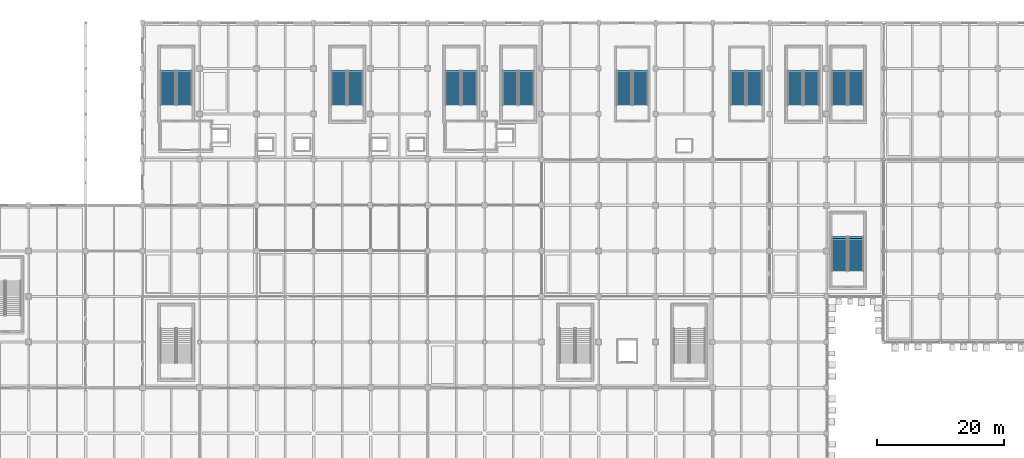
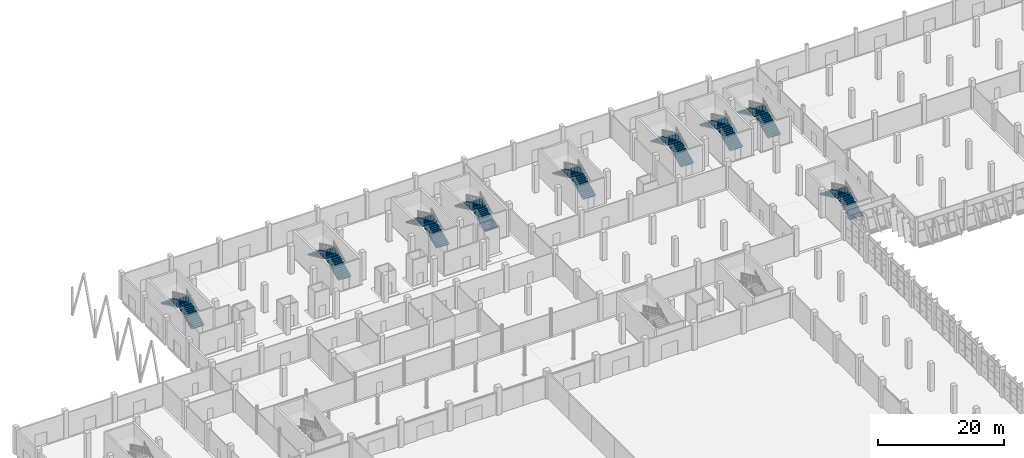
# One storey, part 102 of 137: 18 stair flights, 9 elements without a shape of their own.
"""IFC4 building model written with IfcOpenShell, lengths in metres."""

from ifc_helpers import new_model, si_unit, direction, frame, origin, place, context, subcontext, project, spatial, polyline, outline, extrude, material, type_object, element, aggregate, save


model = new_model("IFC4")

# Units and contexts
model_context = context("Model", 3, precision=1e-05, world=origin(), true_north=direction((0.0, 1.0)))
body_context = subcontext(model_context, "Body", "Model", "MODEL_VIEW")
ifc_project = project(units=[si_unit("LENGTHUNIT", "METRE"), si_unit("AREAUNIT", "SQUARE_METRE"), si_unit("VOLUMEUNIT", "CUBIC_METRE"), si_unit("PLANEANGLEUNIT", "RADIAN"), si_unit("MASSUNIT", "GRAM", prefix="KILO")], contexts=[model_context])

# Site, building, storey
site_placement = place(None, origin())
site = spatial("IfcSite", under=ifc_project, at=site_placement, CompositionType="ELEMENT")
building_placement = place(site_placement, origin())
building = spatial("IfcBuilding", under=site, at=building_placement, Name="Celestram Park Convention Centre", CompositionType="ELEMENT")
storey_placement = place(building_placement, origin())
storey = spatial("IfcBuildingStorey", under=building, at=storey_placement, Name="L00", CompositionType="ELEMENT", Elevation=0.0)

# Stair, stair flights
ifc_material = material(Name="Precast Concrete C40/50", Category="concrete")
stair_type = type_object("IfcStairType", Name="ARC-STR-DOG54", PredefinedType="HALF_TURN_STAIR", material=ifc_material)
stair_1_placement = place(storey_placement, origin())
stair_1 = element("IfcStair", 1, at=stair_1_placement, inside=storey, type_object=stair_type, Name="L00 Core C1 stair ST-01", PredefinedType="HALF_TURN_STAIR")
stair_flight_type = type_object("IfcStairFlightType", Name="ARC-FLT-18R", PredefinedType="STRAIGHT", material=ifc_material)
stair_flight_1_placement = place(storey_placement, frame((42.60009765625, 152.60009765625, 0.0), z_axis=(0.0, 0.0, 1.0), x_axis=(0.0, 1.0, 0.0)))
stair_flight_1 = element("IfcStairFlight", 2, at=stair_flight_1_placement, type_object=stair_flight_type, Name="ST-01 flight 1", NumberOfRisers=18, NumberOfTreads=17, PredefinedType="STRAIGHT", RiserHeight=0.15, TreadLength=0.32, context=body_context, shape_type="SweptSolid", body=[
    extrude(outline(polyline([(0.0, 0.0), (0.0, 0.14990234375), (0.320068359375, 0.14990234375), (0.320068359375, 0.300048828125), (0.639892578125, 0.300048828125), (0.639892578125, 0.449951171875), (0.9599609375, 0.449951171875), (0.9599609375, 0.60009765625), (1.280029296875, 0.60009765625), (1.280029296875, 0.75), (1.60009765625, 0.75), (1.60009765625, 0.89990234375), (1.919921875, 0.89990234375), (1.919921875, 1.050048828125), (2.239990234375, 1.050048828125), (2.239990234375, 1.199951171875), (2.56005859375, 1.199951171875), (2.56005859375, 1.35009765625), (2.8798828125, 1.35009765625), (2.8798828125, 1.5), (3.199951171875, 1.5), (3.199951171875, 1.64990234375), (3.52001953125, 1.64990234375), (3.52001953125, 1.800048828125), (3.840087890625, 1.800048828125), (3.840087890625, 1.949951171875), (4.159912109375, 1.949951171875), (4.159912109375, 2.10009765625), (4.47998046875, 2.10009765625), (4.47998046875, 2.25), (4.800048828125, 2.25), (4.800048828125, 2.39990234375), (5.1201171875, 2.39990234375), (5.1201171875, 2.550048828125), (5.43994140625, 2.550048828125), (5.43994140625, 2.699951171875), (5.43994140625, 2.384521484375), (0.353271484375, 0.0), (0.0, 0.0)])), frame((0.0, 1.199951171875, 0.0), z_axis=(0.0, -1.0, 0.0), x_axis=(1.0, 0.0, 0.0)), (0.0, 0.0, 1.0), 2.39990234375),
])
stair_flight_2_placement = place(storey_placement, frame((40.0400390625, 158.0400390625, 2.699951171875), z_axis=(0.0, 0.0, 1.0), x_axis=(0.0, -1.0, 0.0)))
stair_flight_2 = element("IfcStairFlight", 3, at=stair_flight_2_placement, type_object=stair_flight_type, Name="ST-01 flight 2", NumberOfRisers=18, NumberOfTreads=17, PredefinedType="STRAIGHT", RiserHeight=0.15, TreadLength=0.32, context=body_context, shape_type="SweptSolid", body=[
    extrude(outline(polyline([(0.0, 0.0), (0.0, 0.14990234375), (0.320068359375, 0.14990234375), (0.320068359375, 0.300048828125), (0.639892578125, 0.300048828125), (0.639892578125, 0.449951171875), (0.9599609375, 0.449951171875), (0.9599609375, 0.60009765625), (1.280029296875, 0.60009765625), (1.280029296875, 0.75), (1.60009765625, 0.75), (1.60009765625, 0.89990234375), (1.919921875, 0.89990234375), (1.919921875, 1.050048828125), (2.239990234375, 1.050048828125), (2.239990234375, 1.199951171875), (2.56005859375, 1.199951171875), (2.56005859375, 1.35009765625), (2.8798828125, 1.35009765625), (2.8798828125, 1.5), (3.199951171875, 1.5), (3.199951171875, 1.64990234375), (3.52001953125, 1.64990234375), (3.52001953125, 1.800048828125), (3.840087890625, 1.800048828125), (3.840087890625, 1.949951171875), (4.159912109375, 1.949951171875), (4.159912109375, 2.10009765625), (4.47998046875, 2.10009765625), (4.47998046875, 2.25), (4.800048828125, 2.25), (4.800048828125, 2.39990234375), (5.1201171875, 2.39990234375), (5.1201171875, 2.550048828125), (5.43994140625, 2.550048828125), (5.43994140625, 2.699951171875), (5.43994140625, 2.384521484375), (0.353271484375, 0.0), (0.0, 0.0)])), frame((0.0, 1.199951171875, 0.0), z_axis=(0.0, -1.0, 0.0), x_axis=(1.0, 0.0, 0.0)), (0.0, 0.0, 1.0), 2.39990234375),
])
aggregate(stair_1, [stair_flight_1, stair_flight_2])

stair_2_placement = place(storey_placement, origin())
stair_2 = element("IfcStair", 4, at=stair_2_placement, inside=storey, type_object=stair_type, Name="L00 Core C2 stair ST-02", PredefinedType="HALF_TURN_STAIR")
stair_flight_3_placement = place(storey_placement, frame((87.60009765625, 152.60009765625, 0.0), z_axis=(0.0, 0.0, 1.0), x_axis=(0.0, 1.0, 0.0)))
stair_flight_3 = element("IfcStairFlight", 5, at=stair_flight_3_placement, type_object=stair_flight_type, Name="ST-02 flight 1", NumberOfRisers=18, NumberOfTreads=17, PredefinedType="STRAIGHT", RiserHeight=0.15, TreadLength=0.32, context=body_context, shape_type="SweptSolid", body=[
    extrude(outline(polyline([(0.0, 0.0), (0.0, 0.14990234375), (0.320068359375, 0.14990234375), (0.320068359375, 0.300048828125), (0.639892578125, 0.300048828125), (0.639892578125, 0.449951171875), (0.9599609375, 0.449951171875), (0.9599609375, 0.60009765625), (1.280029296875, 0.60009765625), (1.280029296875, 0.75), (1.60009765625, 0.75), (1.60009765625, 0.89990234375), (1.919921875, 0.89990234375), (1.919921875, 1.050048828125), (2.239990234375, 1.050048828125), (2.239990234375, 1.199951171875), (2.56005859375, 1.199951171875), (2.56005859375, 1.35009765625), (2.8798828125, 1.35009765625), (2.8798828125, 1.5), (3.199951171875, 1.5), (3.199951171875, 1.64990234375), (3.52001953125, 1.64990234375), (3.52001953125, 1.800048828125), (3.840087890625, 1.800048828125), (3.840087890625, 1.949951171875), (4.159912109375, 1.949951171875), (4.159912109375, 2.10009765625), (4.47998046875, 2.10009765625), (4.47998046875, 2.25), (4.800048828125, 2.25), (4.800048828125, 2.39990234375), (5.1201171875, 2.39990234375), (5.1201171875, 2.550048828125), (5.43994140625, 2.550048828125), (5.43994140625, 2.699951171875), (5.43994140625, 2.384521484375), (0.353271484375, 0.0), (0.0, 0.0)])), frame((0.0, 1.199951171875, 0.0), z_axis=(0.0, -1.0, 0.0), x_axis=(1.0, 0.0, 0.0)), (0.0, 0.0, 1.0), 2.39990234375),
])
stair_flight_4_placement = place(storey_placement, frame((85.0400390625, 158.0400390625, 2.699951171875), z_axis=(0.0, 0.0, 1.0), x_axis=(0.0, -1.0, 0.0)))
stair_flight_4 = element("IfcStairFlight", 6, at=stair_flight_4_placement, type_object=stair_flight_type, Name="ST-02 flight 2", NumberOfRisers=18, NumberOfTreads=17, PredefinedType="STRAIGHT", RiserHeight=0.15, TreadLength=0.32, context=body_context, shape_type="SweptSolid", body=[
    extrude(outline(polyline([(0.0, 0.0), (0.0, 0.14990234375), (0.320068359375, 0.14990234375), (0.320068359375, 0.300048828125), (0.639892578125, 0.300048828125), (0.639892578125, 0.449951171875), (0.9599609375, 0.449951171875), (0.9599609375, 0.60009765625), (1.280029296875, 0.60009765625), (1.280029296875, 0.75), (1.60009765625, 0.75), (1.60009765625, 0.89990234375), (1.919921875, 0.89990234375), (1.919921875, 1.050048828125), (2.239990234375, 1.050048828125), (2.239990234375, 1.199951171875), (2.56005859375, 1.199951171875), (2.56005859375, 1.35009765625), (2.8798828125, 1.35009765625), (2.8798828125, 1.5), (3.199951171875, 1.5), (3.199951171875, 1.64990234375), (3.52001953125, 1.64990234375), (3.52001953125, 1.800048828125), (3.840087890625, 1.800048828125), (3.840087890625, 1.949951171875), (4.159912109375, 1.949951171875), (4.159912109375, 2.10009765625), (4.47998046875, 2.10009765625), (4.47998046875, 2.25), (4.800048828125, 2.25), (4.800048828125, 2.39990234375), (5.1201171875, 2.39990234375), (5.1201171875, 2.550048828125), (5.43994140625, 2.550048828125), (5.43994140625, 2.699951171875), (5.43994140625, 2.384521484375), (0.353271484375, 0.0), (0.0, 0.0)])), frame((0.0, 1.199951171875, 0.0), z_axis=(0.0, -1.0, 0.0), x_axis=(1.0, 0.0, 0.0)), (0.0, 0.0, 1.0), 2.39990234375),
])
aggregate(stair_2, [stair_flight_3, stair_flight_4])

stair_3_placement = place(storey_placement, origin())
stair_3 = element("IfcStair", 7, at=stair_3_placement, inside=storey, type_object=stair_type, Name="L00 Core C5 stair ST-05", PredefinedType="HALF_TURN_STAIR")
stair_flight_5_placement = place(storey_placement, frame((132.60009765625, 152.60009765625, 0.0), z_axis=(0.0, 0.0, 1.0), x_axis=(0.0, 1.0, 0.0)))
stair_flight_5 = element("IfcStairFlight", 8, at=stair_flight_5_placement, type_object=stair_flight_type, Name="ST-05 flight 1", NumberOfRisers=18, NumberOfTreads=17, PredefinedType="STRAIGHT", RiserHeight=0.15, TreadLength=0.32, context=body_context, shape_type="SweptSolid", body=[
    extrude(outline(polyline([(0.0, 0.0), (0.0, 0.14990234375), (0.320068359375, 0.14990234375), (0.320068359375, 0.300048828125), (0.639892578125, 0.300048828125), (0.639892578125, 0.449951171875), (0.9599609375, 0.449951171875), (0.9599609375, 0.60009765625), (1.280029296875, 0.60009765625), (1.280029296875, 0.75), (1.60009765625, 0.75), (1.60009765625, 0.89990234375), (1.919921875, 0.89990234375), (1.919921875, 1.050048828125), (2.239990234375, 1.050048828125), (2.239990234375, 1.199951171875), (2.56005859375, 1.199951171875), (2.56005859375, 1.35009765625), (2.8798828125, 1.35009765625), (2.8798828125, 1.5), (3.199951171875, 1.5), (3.199951171875, 1.64990234375), (3.52001953125, 1.64990234375), (3.52001953125, 1.800048828125), (3.840087890625, 1.800048828125), (3.840087890625, 1.949951171875), (4.159912109375, 1.949951171875), (4.159912109375, 2.10009765625), (4.47998046875, 2.10009765625), (4.47998046875, 2.25), (4.800048828125, 2.25), (4.800048828125, 2.39990234375), (5.1201171875, 2.39990234375), (5.1201171875, 2.550048828125), (5.43994140625, 2.550048828125), (5.43994140625, 2.699951171875), (5.43994140625, 2.384521484375), (0.353271484375, 0.0), (0.0, 0.0)])), frame((0.0, 1.199951171875, 0.0), z_axis=(0.0, -1.0, 0.0), x_axis=(1.0, 0.0, 0.0)), (0.0, 0.0, 1.0), 2.39990234375),
])
stair_flight_6_placement = place(storey_placement, frame((130.0400390625, 158.0400390625, 2.699951171875), z_axis=(0.0, 0.0, 1.0), x_axis=(0.0, -1.0, 0.0)))
stair_flight_6 = element("IfcStairFlight", 9, at=stair_flight_6_placement, type_object=stair_flight_type, Name="ST-05 flight 2", NumberOfRisers=18, NumberOfTreads=17, PredefinedType="STRAIGHT", RiserHeight=0.15, TreadLength=0.32, context=body_context, shape_type="SweptSolid", body=[
    extrude(outline(polyline([(0.0, 0.0), (0.0, 0.14990234375), (0.320068359375, 0.14990234375), (0.320068359375, 0.300048828125), (0.639892578125, 0.300048828125), (0.639892578125, 0.449951171875), (0.9599609375, 0.449951171875), (0.9599609375, 0.60009765625), (1.280029296875, 0.60009765625), (1.280029296875, 0.75), (1.60009765625, 0.75), (1.60009765625, 0.89990234375), (1.919921875, 0.89990234375), (1.919921875, 1.050048828125), (2.239990234375, 1.050048828125), (2.239990234375, 1.199951171875), (2.56005859375, 1.199951171875), (2.56005859375, 1.35009765625), (2.8798828125, 1.35009765625), (2.8798828125, 1.5), (3.199951171875, 1.5), (3.199951171875, 1.64990234375), (3.52001953125, 1.64990234375), (3.52001953125, 1.800048828125), (3.840087890625, 1.800048828125), (3.840087890625, 1.949951171875), (4.159912109375, 1.949951171875), (4.159912109375, 2.10009765625), (4.47998046875, 2.10009765625), (4.47998046875, 2.25), (4.800048828125, 2.25), (4.800048828125, 2.39990234375), (5.1201171875, 2.39990234375), (5.1201171875, 2.550048828125), (5.43994140625, 2.550048828125), (5.43994140625, 2.699951171875), (5.43994140625, 2.384521484375), (0.353271484375, 0.0), (0.0, 0.0)])), frame((0.0, 1.199951171875, 0.0), z_axis=(0.0, -1.0, 0.0), x_axis=(1.0, 0.0, 0.0)), (0.0, 0.0, 1.0), 2.39990234375),
])
aggregate(stair_3, [stair_flight_5, stair_flight_6])

stair_4_placement = place(storey_placement, origin())
stair_4 = element("IfcStair", 10, at=stair_4_placement, inside=storey, type_object=stair_type, Name="L00 Core S09 stair ST-09", PredefinedType="HALF_TURN_STAIR")
stair_flight_7_placement = place(storey_placement, frame((148.60009765625, 152.60009765625, 0.0), z_axis=(0.0, 0.0, 1.0), x_axis=(0.0, 1.0, 0.0)))
stair_flight_7 = element("IfcStairFlight", 11, at=stair_flight_7_placement, type_object=stair_flight_type, Name="ST-09 flight 1", NumberOfRisers=18, NumberOfTreads=17, PredefinedType="STRAIGHT", RiserHeight=0.15, TreadLength=0.32, context=body_context, shape_type="SweptSolid", body=[
    extrude(outline(polyline([(0.0, 0.0), (0.0, 0.14990234375), (0.320068359375, 0.14990234375), (0.320068359375, 0.300048828125), (0.639892578125, 0.300048828125), (0.639892578125, 0.449951171875), (0.9599609375, 0.449951171875), (0.9599609375, 0.60009765625), (1.280029296875, 0.60009765625), (1.280029296875, 0.75), (1.60009765625, 0.75), (1.60009765625, 0.89990234375), (1.919921875, 0.89990234375), (1.919921875, 1.050048828125), (2.239990234375, 1.050048828125), (2.239990234375, 1.199951171875), (2.56005859375, 1.199951171875), (2.56005859375, 1.35009765625), (2.8798828125, 1.35009765625), (2.8798828125, 1.5), (3.199951171875, 1.5), (3.199951171875, 1.64990234375), (3.52001953125, 1.64990234375), (3.52001953125, 1.800048828125), (3.840087890625, 1.800048828125), (3.840087890625, 1.949951171875), (4.159912109375, 1.949951171875), (4.159912109375, 2.10009765625), (4.47998046875, 2.10009765625), (4.47998046875, 2.25), (4.800048828125, 2.25), (4.800048828125, 2.39990234375), (5.1201171875, 2.39990234375), (5.1201171875, 2.550048828125), (5.43994140625, 2.550048828125), (5.43994140625, 2.699951171875), (5.43994140625, 2.384521484375), (0.353271484375, 0.0), (0.0, 0.0)])), frame((0.0, 1.199951171875, 0.0), z_axis=(0.0, -1.0, 0.0), x_axis=(1.0, 0.0, 0.0)), (0.0, 0.0, 1.0), 2.39990234375),
])
stair_flight_8_placement = place(storey_placement, frame((146.0400390625, 158.0400390625, 2.699951171875), z_axis=(0.0, 0.0, 1.0), x_axis=(0.0, -1.0, 0.0)))
stair_flight_8 = element("IfcStairFlight", 12, at=stair_flight_8_placement, type_object=stair_flight_type, Name="ST-09 flight 2", NumberOfRisers=18, NumberOfTreads=17, PredefinedType="STRAIGHT", RiserHeight=0.15, TreadLength=0.32, context=body_context, shape_type="SweptSolid", body=[
    extrude(outline(polyline([(0.0, 0.0), (0.0, 0.14990234375), (0.320068359375, 0.14990234375), (0.320068359375, 0.300048828125), (0.639892578125, 0.300048828125), (0.639892578125, 0.449951171875), (0.9599609375, 0.449951171875), (0.9599609375, 0.60009765625), (1.280029296875, 0.60009765625), (1.280029296875, 0.75), (1.60009765625, 0.75), (1.60009765625, 0.89990234375), (1.919921875, 0.89990234375), (1.919921875, 1.050048828125), (2.239990234375, 1.050048828125), (2.239990234375, 1.199951171875), (2.56005859375, 1.199951171875), (2.56005859375, 1.35009765625), (2.8798828125, 1.35009765625), (2.8798828125, 1.5), (3.199951171875, 1.5), (3.199951171875, 1.64990234375), (3.52001953125, 1.64990234375), (3.52001953125, 1.800048828125), (3.840087890625, 1.800048828125), (3.840087890625, 1.949951171875), (4.159912109375, 1.949951171875), (4.159912109375, 2.10009765625), (4.47998046875, 2.10009765625), (4.47998046875, 2.25), (4.800048828125, 2.25), (4.800048828125, 2.39990234375), (5.1201171875, 2.39990234375), (5.1201171875, 2.550048828125), (5.43994140625, 2.550048828125), (5.43994140625, 2.699951171875), (5.43994140625, 2.384521484375), (0.353271484375, 0.0), (0.0, 0.0)])), frame((0.0, 1.199951171875, 0.0), z_axis=(0.0, -1.0, 0.0), x_axis=(1.0, 0.0, 0.0)), (0.0, 0.0, 1.0), 2.39990234375),
])
aggregate(stair_4, [stair_flight_7, stair_flight_8])

stair_5_placement = place(storey_placement, origin())
stair_5 = element("IfcStair", 13, at=stair_5_placement, inside=storey, type_object=stair_type, Name="L00 Core S10 stair ST-10", PredefinedType="HALF_TURN_STAIR")
stair_flight_9_placement = place(storey_placement, frame((148.60009765625, 126.39990234375, 0.0), z_axis=(0.0, 0.0, 1.0), x_axis=(0.0, 1.0, 0.0)))
stair_flight_9 = element("IfcStairFlight", 14, at=stair_flight_9_placement, type_object=stair_flight_type, Name="ST-10 flight 1", NumberOfRisers=18, NumberOfTreads=17, PredefinedType="STRAIGHT", RiserHeight=0.15, TreadLength=0.32, context=body_context, shape_type="SweptSolid", body=[
    extrude(outline(polyline([(0.0, 0.0), (0.0, 0.14990234375), (0.320068359375, 0.14990234375), (0.320068359375, 0.300048828125), (0.639892578125, 0.300048828125), (0.639892578125, 0.449951171875), (0.9599609375, 0.449951171875), (0.9599609375, 0.60009765625), (1.280029296875, 0.60009765625), (1.280029296875, 0.75), (1.60009765625, 0.75), (1.60009765625, 0.89990234375), (1.919921875, 0.89990234375), (1.919921875, 1.050048828125), (2.239990234375, 1.050048828125), (2.239990234375, 1.199951171875), (2.56005859375, 1.199951171875), (2.56005859375, 1.35009765625), (2.8798828125, 1.35009765625), (2.8798828125, 1.5), (3.199951171875, 1.5), (3.199951171875, 1.64990234375), (3.52001953125, 1.64990234375), (3.52001953125, 1.800048828125), (3.840087890625, 1.800048828125), (3.840087890625, 1.949951171875), (4.159912109375, 1.949951171875), (4.159912109375, 2.10009765625), (4.47998046875, 2.10009765625), (4.47998046875, 2.25), (4.800048828125, 2.25), (4.800048828125, 2.39990234375), (5.1201171875, 2.39990234375), (5.1201171875, 2.550048828125), (5.43994140625, 2.550048828125), (5.43994140625, 2.699951171875), (5.43994140625, 2.384521484375), (0.353271484375, 0.0), (0.0, 0.0)])), frame((0.0, 1.199951171875, 0.0), z_axis=(0.0, -1.0, 0.0), x_axis=(1.0, 0.0, 0.0)), (0.0, 0.0, 1.0), 2.39990234375),
])
stair_flight_10_placement = place(storey_placement, frame((146.0400390625, 131.840087890625, 2.699951171875), z_axis=(0.0, 0.0, 1.0), x_axis=(0.0, -1.0, 0.0)))
stair_flight_10 = element("IfcStairFlight", 15, at=stair_flight_10_placement, type_object=stair_flight_type, Name="ST-10 flight 2", NumberOfRisers=18, NumberOfTreads=17, PredefinedType="STRAIGHT", RiserHeight=0.15, TreadLength=0.32, context=body_context, shape_type="SweptSolid", body=[
    extrude(outline(polyline([(0.0, 0.0), (0.0, 0.14990234375), (0.320068359375, 0.14990234375), (0.320068359375, 0.300048828125), (0.639892578125, 0.300048828125), (0.639892578125, 0.449951171875), (0.9599609375, 0.449951171875), (0.9599609375, 0.60009765625), (1.280029296875, 0.60009765625), (1.280029296875, 0.75), (1.60009765625, 0.75), (1.60009765625, 0.89990234375), (1.919921875, 0.89990234375), (1.919921875, 1.050048828125), (2.239990234375, 1.050048828125), (2.239990234375, 1.199951171875), (2.56005859375, 1.199951171875), (2.56005859375, 1.35009765625), (2.8798828125, 1.35009765625), (2.8798828125, 1.5), (3.199951171875, 1.5), (3.199951171875, 1.64990234375), (3.52001953125, 1.64990234375), (3.52001953125, 1.800048828125), (3.840087890625, 1.800048828125), (3.840087890625, 1.949951171875), (4.159912109375, 1.949951171875), (4.159912109375, 2.10009765625), (4.47998046875, 2.10009765625), (4.47998046875, 2.25), (4.800048828125, 2.25), (4.800048828125, 2.39990234375), (5.1201171875, 2.39990234375), (5.1201171875, 2.550048828125), (5.43994140625, 2.550048828125), (5.43994140625, 2.699951171875), (5.43994140625, 2.384521484375), (0.353271484375, 0.0), (0.0, 0.0)])), frame((0.0, 1.199951171875, 0.0), z_axis=(0.0, -1.0, 0.0), x_axis=(1.0, 0.0, 0.0)), (0.0, 0.0, 1.0), 2.39990234375),
])
aggregate(stair_5, [stair_flight_9, stair_flight_10])

stair_6_placement = place(storey_placement, origin())
stair_6 = element("IfcStair", 16, at=stair_6_placement, inside=storey, type_object=stair_type, Name="L00 Core S14 stair ST-14", PredefinedType="HALF_TURN_STAIR")
stair_flight_11_placement = place(storey_placement, frame((69.60009765625, 152.60009765625, 0.0), z_axis=(0.0, 0.0, 1.0), x_axis=(0.0, 1.0, 0.0)))
stair_flight_11 = element("IfcStairFlight", 17, at=stair_flight_11_placement, type_object=stair_flight_type, Name="ST-14 flight 1", NumberOfRisers=18, NumberOfTreads=17, PredefinedType="STRAIGHT", RiserHeight=0.15, TreadLength=0.32, context=body_context, shape_type="SweptSolid", body=[
    extrude(outline(polyline([(0.0, 0.0), (0.0, 0.14990234375), (0.320068359375, 0.14990234375), (0.320068359375, 0.300048828125), (0.639892578125, 0.300048828125), (0.639892578125, 0.449951171875), (0.9599609375, 0.449951171875), (0.9599609375, 0.60009765625), (1.280029296875, 0.60009765625), (1.280029296875, 0.75), (1.60009765625, 0.75), (1.60009765625, 0.89990234375), (1.919921875, 0.89990234375), (1.919921875, 1.050048828125), (2.239990234375, 1.050048828125), (2.239990234375, 1.199951171875), (2.56005859375, 1.199951171875), (2.56005859375, 1.35009765625), (2.8798828125, 1.35009765625), (2.8798828125, 1.5), (3.199951171875, 1.5), (3.199951171875, 1.64990234375), (3.52001953125, 1.64990234375), (3.52001953125, 1.800048828125), (3.840087890625, 1.800048828125), (3.840087890625, 1.949951171875), (4.159912109375, 1.949951171875), (4.159912109375, 2.10009765625), (4.47998046875, 2.10009765625), (4.47998046875, 2.25), (4.800048828125, 2.25), (4.800048828125, 2.39990234375), (5.1201171875, 2.39990234375), (5.1201171875, 2.550048828125), (5.43994140625, 2.550048828125), (5.43994140625, 2.699951171875), (5.43994140625, 2.384521484375), (0.353271484375, 0.0), (0.0, 0.0)])), frame((0.0, 1.199951171875, 0.0), z_axis=(0.0, -1.0, 0.0), x_axis=(1.0, 0.0, 0.0)), (0.0, 0.0, 1.0), 2.39990234375),
])
stair_flight_12_placement = place(storey_placement, frame((67.0400390625, 158.0400390625, 2.699951171875), z_axis=(0.0, 0.0, 1.0), x_axis=(0.0, -1.0, 0.0)))
stair_flight_12 = element("IfcStairFlight", 18, at=stair_flight_12_placement, type_object=stair_flight_type, Name="ST-14 flight 2", NumberOfRisers=18, NumberOfTreads=17, PredefinedType="STRAIGHT", RiserHeight=0.15, TreadLength=0.32, context=body_context, shape_type="SweptSolid", body=[
    extrude(outline(polyline([(0.0, 0.0), (0.0, 0.14990234375), (0.320068359375, 0.14990234375), (0.320068359375, 0.300048828125), (0.639892578125, 0.300048828125), (0.639892578125, 0.449951171875), (0.9599609375, 0.449951171875), (0.9599609375, 0.60009765625), (1.280029296875, 0.60009765625), (1.280029296875, 0.75), (1.60009765625, 0.75), (1.60009765625, 0.89990234375), (1.919921875, 0.89990234375), (1.919921875, 1.050048828125), (2.239990234375, 1.050048828125), (2.239990234375, 1.199951171875), (2.56005859375, 1.199951171875), (2.56005859375, 1.35009765625), (2.8798828125, 1.35009765625), (2.8798828125, 1.5), (3.199951171875, 1.5), (3.199951171875, 1.64990234375), (3.52001953125, 1.64990234375), (3.52001953125, 1.800048828125), (3.840087890625, 1.800048828125), (3.840087890625, 1.949951171875), (4.159912109375, 1.949951171875), (4.159912109375, 2.10009765625), (4.47998046875, 2.10009765625), (4.47998046875, 2.25), (4.800048828125, 2.25), (4.800048828125, 2.39990234375), (5.1201171875, 2.39990234375), (5.1201171875, 2.550048828125), (5.43994140625, 2.550048828125), (5.43994140625, 2.699951171875), (5.43994140625, 2.384521484375), (0.353271484375, 0.0), (0.0, 0.0)])), frame((0.0, 1.199951171875, 0.0), z_axis=(0.0, -1.0, 0.0), x_axis=(1.0, 0.0, 0.0)), (0.0, 0.0, 1.0), 2.39990234375),
])
aggregate(stair_6, [stair_flight_11, stair_flight_12])

stair_7_placement = place(storey_placement, origin())
stair_7 = element("IfcStair", 19, at=stair_7_placement, inside=storey, type_object=stair_type, Name="L00 Core S16 stair ST-16", PredefinedType="HALF_TURN_STAIR")
stair_flight_13_placement = place(storey_placement, frame((114.60009765625, 152.60009765625, 0.0), z_axis=(0.0, 0.0, 1.0), x_axis=(0.0, 1.0, 0.0)))
stair_flight_13 = element("IfcStairFlight", 20, at=stair_flight_13_placement, type_object=stair_flight_type, Name="ST-16 flight 1", NumberOfRisers=18, NumberOfTreads=17, PredefinedType="STRAIGHT", RiserHeight=0.15, TreadLength=0.32, context=body_context, shape_type="SweptSolid", body=[
    extrude(outline(polyline([(0.0, 0.0), (0.0, 0.14990234375), (0.320068359375, 0.14990234375), (0.320068359375, 0.300048828125), (0.639892578125, 0.300048828125), (0.639892578125, 0.449951171875), (0.9599609375, 0.449951171875), (0.9599609375, 0.60009765625), (1.280029296875, 0.60009765625), (1.280029296875, 0.75), (1.60009765625, 0.75), (1.60009765625, 0.89990234375), (1.919921875, 0.89990234375), (1.919921875, 1.050048828125), (2.239990234375, 1.050048828125), (2.239990234375, 1.199951171875), (2.56005859375, 1.199951171875), (2.56005859375, 1.35009765625), (2.8798828125, 1.35009765625), (2.8798828125, 1.5), (3.199951171875, 1.5), (3.199951171875, 1.64990234375), (3.52001953125, 1.64990234375), (3.52001953125, 1.800048828125), (3.840087890625, 1.800048828125), (3.840087890625, 1.949951171875), (4.159912109375, 1.949951171875), (4.159912109375, 2.10009765625), (4.47998046875, 2.10009765625), (4.47998046875, 2.25), (4.800048828125, 2.25), (4.800048828125, 2.39990234375), (5.1201171875, 2.39990234375), (5.1201171875, 2.550048828125), (5.43994140625, 2.550048828125), (5.43994140625, 2.699951171875), (5.43994140625, 2.384521484375), (0.353271484375, 0.0), (0.0, 0.0)])), frame((0.0, 1.199951171875, 0.0), z_axis=(0.0, -1.0, 0.0), x_axis=(1.0, 0.0, 0.0)), (0.0, 0.0, 1.0), 2.39990234375),
])
stair_flight_14_placement = place(storey_placement, frame((112.0400390625, 158.0400390625, 2.699951171875), z_axis=(0.0, 0.0, 1.0), x_axis=(0.0, -1.0, 0.0)))
stair_flight_14 = element("IfcStairFlight", 21, at=stair_flight_14_placement, type_object=stair_flight_type, Name="ST-16 flight 2", NumberOfRisers=18, NumberOfTreads=17, PredefinedType="STRAIGHT", RiserHeight=0.15, TreadLength=0.32, context=body_context, shape_type="SweptSolid", body=[
    extrude(outline(polyline([(0.0, 0.0), (0.0, 0.14990234375), (0.320068359375, 0.14990234375), (0.320068359375, 0.300048828125), (0.639892578125, 0.300048828125), (0.639892578125, 0.449951171875), (0.9599609375, 0.449951171875), (0.9599609375, 0.60009765625), (1.280029296875, 0.60009765625), (1.280029296875, 0.75), (1.60009765625, 0.75), (1.60009765625, 0.89990234375), (1.919921875, 0.89990234375), (1.919921875, 1.050048828125), (2.239990234375, 1.050048828125), (2.239990234375, 1.199951171875), (2.56005859375, 1.199951171875), (2.56005859375, 1.35009765625), (2.8798828125, 1.35009765625), (2.8798828125, 1.5), (3.199951171875, 1.5), (3.199951171875, 1.64990234375), (3.52001953125, 1.64990234375), (3.52001953125, 1.800048828125), (3.840087890625, 1.800048828125), (3.840087890625, 1.949951171875), (4.159912109375, 1.949951171875), (4.159912109375, 2.10009765625), (4.47998046875, 2.10009765625), (4.47998046875, 2.25), (4.800048828125, 2.25), (4.800048828125, 2.39990234375), (5.1201171875, 2.39990234375), (5.1201171875, 2.550048828125), (5.43994140625, 2.550048828125), (5.43994140625, 2.699951171875), (5.43994140625, 2.384521484375), (0.353271484375, 0.0), (0.0, 0.0)])), frame((0.0, 1.199951171875, 0.0), z_axis=(0.0, -1.0, 0.0), x_axis=(1.0, 0.0, 0.0)), (0.0, 0.0, 1.0), 2.39990234375),
])
aggregate(stair_7, [stair_flight_13, stair_flight_14])

stair_8_placement = place(storey_placement, origin())
stair_8 = element("IfcStair", 22, at=stair_8_placement, inside=storey, type_object=stair_type, Name="L00 Core S19 stair ST-19", PredefinedType="HALF_TURN_STAIR")
stair_flight_15_placement = place(storey_placement, frame((96.60009765625, 152.60009765625, 0.0), z_axis=(0.0, 0.0, 1.0), x_axis=(0.0, 1.0, 0.0)))
stair_flight_15 = element("IfcStairFlight", 23, at=stair_flight_15_placement, type_object=stair_flight_type, Name="ST-19 flight 1", NumberOfRisers=18, NumberOfTreads=17, PredefinedType="STRAIGHT", RiserHeight=0.15, TreadLength=0.32, context=body_context, shape_type="SweptSolid", body=[
    extrude(outline(polyline([(0.0, 0.0), (0.0, 0.14990234375), (0.320068359375, 0.14990234375), (0.320068359375, 0.300048828125), (0.639892578125, 0.300048828125), (0.639892578125, 0.449951171875), (0.9599609375, 0.449951171875), (0.9599609375, 0.60009765625), (1.280029296875, 0.60009765625), (1.280029296875, 0.75), (1.60009765625, 0.75), (1.60009765625, 0.89990234375), (1.919921875, 0.89990234375), (1.919921875, 1.050048828125), (2.239990234375, 1.050048828125), (2.239990234375, 1.199951171875), (2.56005859375, 1.199951171875), (2.56005859375, 1.35009765625), (2.8798828125, 1.35009765625), (2.8798828125, 1.5), (3.199951171875, 1.5), (3.199951171875, 1.64990234375), (3.52001953125, 1.64990234375), (3.52001953125, 1.800048828125), (3.840087890625, 1.800048828125), (3.840087890625, 1.949951171875), (4.159912109375, 1.949951171875), (4.159912109375, 2.10009765625), (4.47998046875, 2.10009765625), (4.47998046875, 2.25), (4.800048828125, 2.25), (4.800048828125, 2.39990234375), (5.1201171875, 2.39990234375), (5.1201171875, 2.550048828125), (5.43994140625, 2.550048828125), (5.43994140625, 2.699951171875), (5.43994140625, 2.384521484375), (0.353271484375, 0.0), (0.0, 0.0)])), frame((0.0, 1.199951171875, 0.0), z_axis=(0.0, -1.0, 0.0), x_axis=(1.0, 0.0, 0.0)), (0.0, 0.0, 1.0), 2.39990234375),
])
stair_flight_16_placement = place(storey_placement, frame((94.0400390625, 158.0400390625, 2.699951171875), z_axis=(0.0, 0.0, 1.0), x_axis=(0.0, -1.0, 0.0)))
stair_flight_16 = element("IfcStairFlight", 24, at=stair_flight_16_placement, type_object=stair_flight_type, Name="ST-19 flight 2", NumberOfRisers=18, NumberOfTreads=17, PredefinedType="STRAIGHT", RiserHeight=0.15, TreadLength=0.32, context=body_context, shape_type="SweptSolid", body=[
    extrude(outline(polyline([(0.0, 0.0), (0.0, 0.14990234375), (0.320068359375, 0.14990234375), (0.320068359375, 0.300048828125), (0.639892578125, 0.300048828125), (0.639892578125, 0.449951171875), (0.9599609375, 0.449951171875), (0.9599609375, 0.60009765625), (1.280029296875, 0.60009765625), (1.280029296875, 0.75), (1.60009765625, 0.75), (1.60009765625, 0.89990234375), (1.919921875, 0.89990234375), (1.919921875, 1.050048828125), (2.239990234375, 1.050048828125), (2.239990234375, 1.199951171875), (2.56005859375, 1.199951171875), (2.56005859375, 1.35009765625), (2.8798828125, 1.35009765625), (2.8798828125, 1.5), (3.199951171875, 1.5), (3.199951171875, 1.64990234375), (3.52001953125, 1.64990234375), (3.52001953125, 1.800048828125), (3.840087890625, 1.800048828125), (3.840087890625, 1.949951171875), (4.159912109375, 1.949951171875), (4.159912109375, 2.10009765625), (4.47998046875, 2.10009765625), (4.47998046875, 2.25), (4.800048828125, 2.25), (4.800048828125, 2.39990234375), (5.1201171875, 2.39990234375), (5.1201171875, 2.550048828125), (5.43994140625, 2.550048828125), (5.43994140625, 2.699951171875), (5.43994140625, 2.384521484375), (0.353271484375, 0.0), (0.0, 0.0)])), frame((0.0, 1.199951171875, 0.0), z_axis=(0.0, -1.0, 0.0), x_axis=(1.0, 0.0, 0.0)), (0.0, 0.0, 1.0), 2.39990234375),
])
aggregate(stair_8, [stair_flight_15, stair_flight_16])

stair_9_placement = place(storey_placement, origin())
stair_9 = element("IfcStair", 25, at=stair_9_placement, inside=storey, type_object=stair_type, Name="L00 Core S22 stair ST-22", PredefinedType="HALF_TURN_STAIR")
stair_flight_17_placement = place(storey_placement, frame((141.60009765625, 152.60009765625, 0.0), z_axis=(0.0, 0.0, 1.0), x_axis=(0.0, 1.0, 0.0)))
stair_flight_17 = element("IfcStairFlight", 26, at=stair_flight_17_placement, type_object=stair_flight_type, Name="ST-22 flight 1", NumberOfRisers=18, NumberOfTreads=17, PredefinedType="STRAIGHT", RiserHeight=0.15, TreadLength=0.32, context=body_context, shape_type="SweptSolid", body=[
    extrude(outline(polyline([(0.0, 0.0), (0.0, 0.14990234375), (0.320068359375, 0.14990234375), (0.320068359375, 0.300048828125), (0.639892578125, 0.300048828125), (0.639892578125, 0.449951171875), (0.9599609375, 0.449951171875), (0.9599609375, 0.60009765625), (1.280029296875, 0.60009765625), (1.280029296875, 0.75), (1.60009765625, 0.75), (1.60009765625, 0.89990234375), (1.919921875, 0.89990234375), (1.919921875, 1.050048828125), (2.239990234375, 1.050048828125), (2.239990234375, 1.199951171875), (2.56005859375, 1.199951171875), (2.56005859375, 1.35009765625), (2.8798828125, 1.35009765625), (2.8798828125, 1.5), (3.199951171875, 1.5), (3.199951171875, 1.64990234375), (3.52001953125, 1.64990234375), (3.52001953125, 1.800048828125), (3.840087890625, 1.800048828125), (3.840087890625, 1.949951171875), (4.159912109375, 1.949951171875), (4.159912109375, 2.10009765625), (4.47998046875, 2.10009765625), (4.47998046875, 2.25), (4.800048828125, 2.25), (4.800048828125, 2.39990234375), (5.1201171875, 2.39990234375), (5.1201171875, 2.550048828125), (5.43994140625, 2.550048828125), (5.43994140625, 2.699951171875), (5.43994140625, 2.384521484375), (0.353271484375, 0.0), (0.0, 0.0)])), frame((0.0, 1.199951171875, 0.0), z_axis=(0.0, -1.0, 0.0), x_axis=(1.0, 0.0, 0.0)), (0.0, 0.0, 1.0), 2.39990234375),
])
stair_flight_18_placement = place(storey_placement, frame((139.0400390625, 158.0400390625, 2.699951171875), z_axis=(0.0, 0.0, 1.0), x_axis=(0.0, -1.0, 0.0)))
stair_flight_18 = element("IfcStairFlight", 27, at=stair_flight_18_placement, type_object=stair_flight_type, Name="ST-22 flight 2", NumberOfRisers=18, NumberOfTreads=17, PredefinedType="STRAIGHT", RiserHeight=0.15, TreadLength=0.32, context=body_context, shape_type="SweptSolid", body=[
    extrude(outline(polyline([(0.0, 0.0), (0.0, 0.14990234375), (0.320068359375, 0.14990234375), (0.320068359375, 0.300048828125), (0.639892578125, 0.300048828125), (0.639892578125, 0.449951171875), (0.9599609375, 0.449951171875), (0.9599609375, 0.60009765625), (1.280029296875, 0.60009765625), (1.280029296875, 0.75), (1.60009765625, 0.75), (1.60009765625, 0.89990234375), (1.919921875, 0.89990234375), (1.919921875, 1.050048828125), (2.239990234375, 1.050048828125), (2.239990234375, 1.199951171875), (2.56005859375, 1.199951171875), (2.56005859375, 1.35009765625), (2.8798828125, 1.35009765625), (2.8798828125, 1.5), (3.199951171875, 1.5), (3.199951171875, 1.64990234375), (3.52001953125, 1.64990234375), (3.52001953125, 1.800048828125), (3.840087890625, 1.800048828125), (3.840087890625, 1.949951171875), (4.159912109375, 1.949951171875), (4.159912109375, 2.10009765625), (4.47998046875, 2.10009765625), (4.47998046875, 2.25), (4.800048828125, 2.25), (4.800048828125, 2.39990234375), (5.1201171875, 2.39990234375), (5.1201171875, 2.550048828125), (5.43994140625, 2.550048828125), (5.43994140625, 2.699951171875), (5.43994140625, 2.384521484375), (0.353271484375, 0.0), (0.0, 0.0)])), frame((0.0, 1.199951171875, 0.0), z_axis=(0.0, -1.0, 0.0), x_axis=(1.0, 0.0, 0.0)), (0.0, 0.0, 1.0), 2.39990234375),
])
aggregate(stair_9, [stair_flight_17, stair_flight_18])

save(model, "model.ifc")
